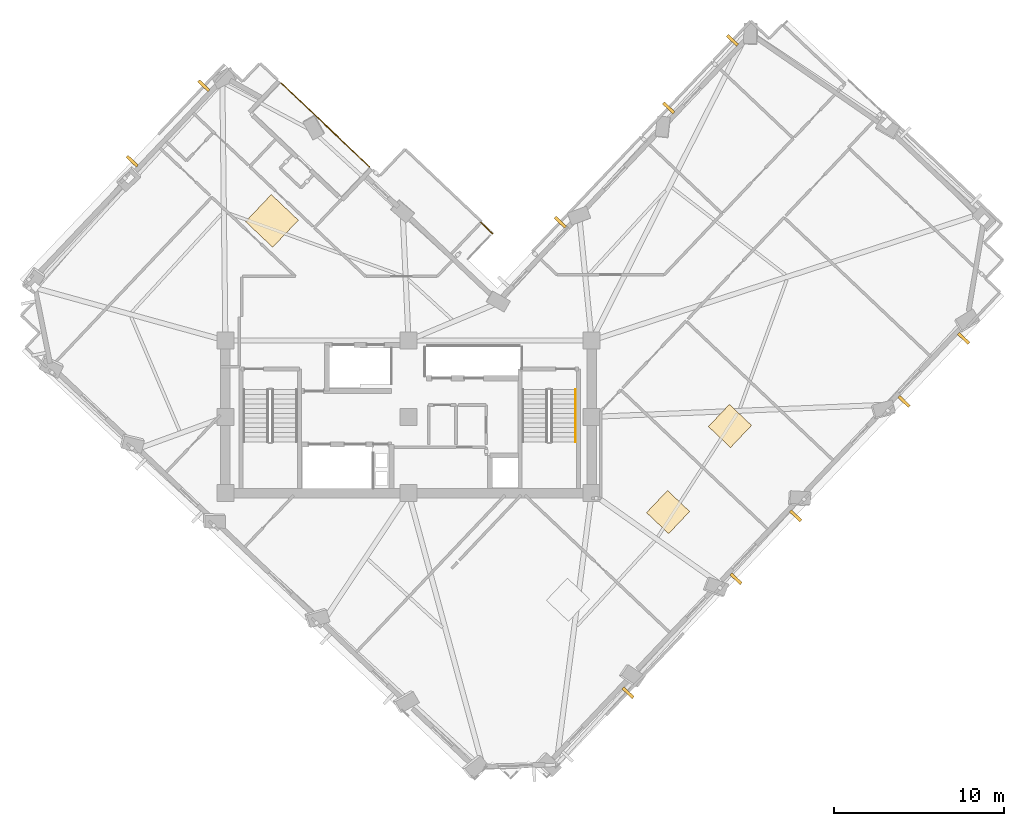
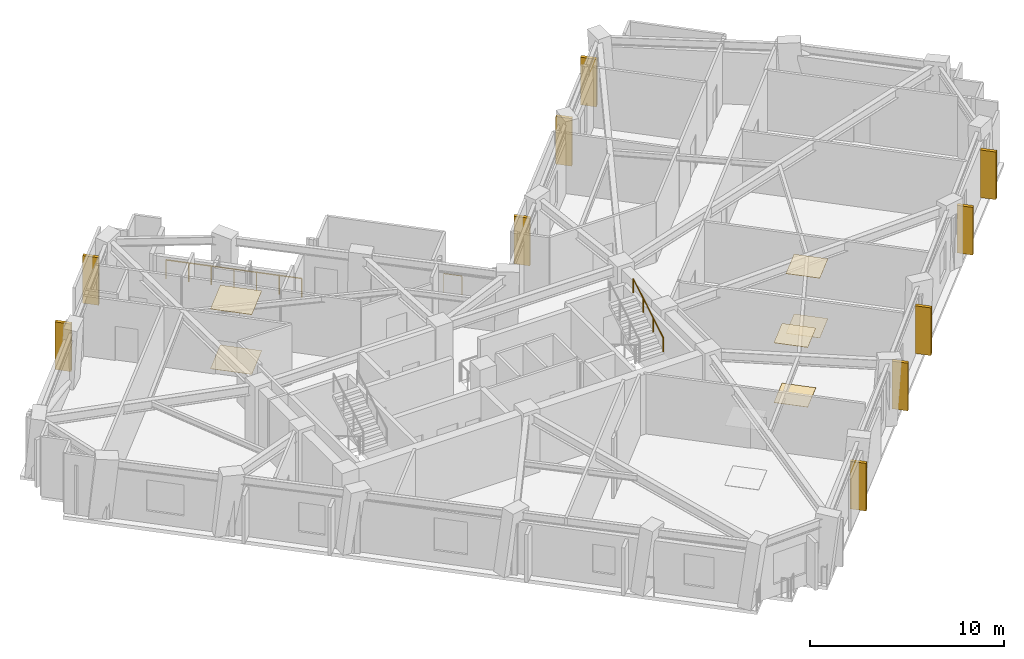
# One storey, part 11 of 12: 10 shading devices, 6 coverings, 3 railings.
"""IFC4 building model written with IfcOpenShell, lengths in metres."""

from ifc_helpers import new_model, si_unit, direction, frame, origin, origin_2d, place, context, subcontext, project, spatial, rectangle, circle, extrude, material, layer, layer_set, type_object, element, save


model = new_model("IFC4")

# Units and contexts
model_context = context("Model", 3, precision=1e-05, world=origin(), true_north=direction((0.0, 1.0)))
body_context = subcontext(model_context, "Body", "Model", "MODEL_VIEW")
ifc_project = project(units=[si_unit("LENGTHUNIT", "METRE"), si_unit("AREAUNIT", "SQUARE_METRE"), si_unit("VOLUMEUNIT", "CUBIC_METRE"), si_unit("PLANEANGLEUNIT", "RADIAN"), si_unit("MASSUNIT", "GRAM", prefix="KILO")], contexts=[model_context])

# Site, building, storey
site_placement = place(None, origin())
site = spatial("IfcSite", under=ifc_project, at=site_placement, CompositionType="ELEMENT")
building_placement = place(site_placement, origin())
building = spatial("IfcBuilding", under=site, at=building_placement, Name="Gaonmaruhae Medical Tower", CompositionType="ELEMENT")
storey_placement = place(building_placement, frame((0.0, 0.0, 223.199951171875)))
storey = spatial("IfcBuildingStorey", under=building, at=storey_placement, Name="L53", CompositionType="ELEMENT", Elevation=223.199951171875)

# Coverings
ifc_material_1 = material(Name="Acoustic mineral ceiling tile", Category="finish")
ifc_layer_1 = layer(ifc_material_1, 0.02490234375)
ifc_layer_set_1 = layer_set([ifc_layer_1], Name="Acoustic mineral ceiling tile")
covering_type_1 = type_object("IfcCoveringType", Name="CLG-01 Antimicrobial Acoustic Mineral Ceiling", PredefinedType="CEILING", material=ifc_layer_set_1)
covering_1_placement = place(storey_placement, frame((16.74609375, 23.857421875, 3.755126953125), z_axis=(0.0, 0.0, 1.0), x_axis=(0.687721305114, 0.725974797422, 0.0)))
element("IfcCovering", 1, at=covering_1_placement, inside=storey, type_object=covering_type_1, Name="L53 Clinical Corridor Acoustic Ceiling", PredefinedType="CEILING", context=body_context, shape_type="SweptSolid", body=[
    extrude(rectangle(XDim=2.199951171875, YDim=2.199951171875, at=origin_2d()), origin(), (0.0, 0.0, 1.0), 0.02490234375),
])
for number, where, z_axis, x_axis, name in (
    (2, (40.108154296875, 6.685791015625, 3.755126953125), (0.0, 0.0, 1.0), (0.687721305114, 0.725974797422, 0.0), "L53 Clinical Room Acoustic Ceiling 3"),
    (3, (43.7568359375, 11.76220703125, 3.755126953125), (0.0, 0.0, 1.0), (0.687721305114, 0.725974797422, 0.0), "L53 Clinical Room Acoustic Ceiling 4"),
):
    element("IfcCovering", number, at=place(storey_placement, frame(where, z_axis=z_axis, x_axis=x_axis)), inside=storey, type_object=covering_type_1, Name=name, PredefinedType="CEILING", context=body_context, shape_type="SweptSolid", body=[
        extrude(rectangle(XDim=1.800048828125, YDim=1.800048828125, at=origin_2d()), origin(), (0.0, 0.0, 1.0), 0.02490234375),
    ])
ifc_material_2 = material(Name="Seamless clinical vinyl flooring", Category="finish")
ifc_layer_2 = layer(ifc_material_2, 0.014892578125)
ifc_layer_set_2 = layer_set([ifc_layer_2], Name="Seamless clinical vinyl flooring")
covering_type_2 = type_object("IfcCoveringType", Name="FLR-01 Seamless Clinical Antistatic Vinyl Flooring", PredefinedType="FLOORING", material=ifc_layer_set_2)
covering_2_placement = place(storey_placement, frame((16.74609375, 23.857421875, 0.00048828125), z_axis=(0.0, 0.0, 1.0), x_axis=(0.687721305114, 0.725974797422, 0.0)))
element("IfcCovering", 4, at=covering_2_placement, inside=storey, type_object=covering_type_2, Name="L53 Clinical Corridor Vinyl Flooring", PredefinedType="FLOORING", context=body_context, shape_type="SweptSolid", body=[
    extrude(rectangle(XDim=2.199951171875, YDim=2.199951171875, at=origin_2d()), origin(), (0.0, 0.0, 1.0), 0.014892578125),
])
for number, where, z_axis, x_axis, name in (
    (5, (40.108154296875, 6.685791015625, 0.0), (0.0, 0.0, 1.0), (0.687721305114, 0.725974797422, 0.0), "L53 Clinical Room Vinyl Flooring 3"),
    (6, (43.7568359375, 11.76220703125, 0.0), (0.0, 0.0, 1.0), (0.687721305114, 0.725974797422, 0.0), "L53 Clinical Room Vinyl Flooring 4"),
):
    element("IfcCovering", number, at=place(storey_placement, frame(where, z_axis=z_axis, x_axis=x_axis)), inside=storey, type_object=covering_type_2, Name=name, PredefinedType="FLOORING", context=body_context, shape_type="SweptSolid", body=[
        extrude(rectangle(XDim=1.800048828125, YDim=1.800048828125, at=origin_2d()), origin(), (0.0, 0.0, 1.0), 0.014892578125),
    ])

# Railings
ifc_material_3 = material(Name="Stainless steel 316L and laminated safety glass", Category="steel")
ifc_layer_3 = layer(ifc_material_3, 0.080078125)
ifc_layer_set_3 = layer_set([ifc_layer_3], Name="Stainless steel 316L and laminated safety glass")
railing_type_1 = type_object("IfcRailingType", Name="GD-120 Outdoor Terrace Safety Glass & Steel Balustrade", PredefinedType="BALUSTRADE", material=ifc_layer_set_3)
railing_1_placement = place(storey_placement, frame((22.50439453125, 27.04638671875, 0.0)))
element("IfcRailing", 7, at=railing_1_placement, inside=storey, type_object=railing_type_1, Name="L53 Terrace Safety Guard RL-SLB-L53-TER-02", PredefinedType="BALUSTRADE", context=body_context, shape_type="SweptSolid", body=[
    extrude(circle(Radius=0.02392578125, at=origin_2d()), frame((0.0, 0.0, 1.17578125), z_axis=(-0.725989215373, 0.687706084866, 0.0), x_axis=(-0.687706084866, -0.725989215373, 0.0)), (0.0, 0.0, 1.0), 7.199951171875),
    extrude(circle(Radius=0.02099609375, at=origin_2d()), origin(), (0.0, 0.0, 1.0), 1.15185546875),
    extrude(circle(Radius=0.02099609375, at=origin_2d()), frame((-0.87109375, 0.8251953125, 0.0)), (0.0, 0.0, 1.0), 1.15185546875),
    extrude(circle(Radius=0.02099609375, at=origin_2d()), frame((-1.742431640625, 1.650390625, 0.0)), (0.0, 0.0, 1.0), 1.15185546875),
    extrude(circle(Radius=0.02099609375, at=origin_2d()), frame((-2.613525390625, 2.4755859375, 0.0)), (0.0, 0.0, 1.0), 1.15185546875),
    extrude(circle(Radius=0.02099609375, at=origin_2d()), frame((-3.484619140625, 3.301025390625, 0.0)), (0.0, 0.0, 1.0), 1.15185546875),
    extrude(circle(Radius=0.02099609375, at=origin_2d()), frame((-4.35595703125, 4.126220703125, 0.0)), (0.0, 0.0, 1.0), 1.15185546875),
    extrude(circle(Radius=0.02099609375, at=origin_2d()), frame((-5.22705078125, 4.951416015625, 0.0)), (0.0, 0.0, 1.0), 1.15185546875),
])
railing_2_placement = place(storey_placement, frame((29.0654296875, 23.7646484375, 0.0)))
element("IfcRailing", 8, at=railing_2_placement, inside=storey, type_object=railing_type_1, Name="L53 Perimeter Slab Edge Safety Balustrade 08", PredefinedType="BALUSTRADE", context=body_context, shape_type="SweptSolid", body=[
    extrude(circle(Radius=0.02392578125, at=origin_2d()), frame((0.0, 0.0, 1.17578125), z_axis=(0.726046232432, -0.687645888791, 0.0), x_axis=(0.687645888791, 0.726046232432, 0.0)), (0.0, 0.0, 1.0), 0.9599609375),
    extrude(circle(Radius=0.02099609375, at=origin_2d()), origin(), (0.0, 0.0, 1.0), 1.15185546875),
    extrude(circle(Radius=0.02099609375, at=origin_2d()), frame((0.697021484375, -0.66015625, 0.0)), (0.0, 0.0, 1.0), 1.15185546875),
])
ifc_material_4 = material(Name="Stainless steel 304 handrail", Category="steel")
railing_type_2 = type_object("IfcRailingType", Name="HR-092 Continuous Stainless Steel Stair Handrail", PredefinedType="HANDRAIL", material=ifc_material_4)
railing_3_placement = place(storey_placement, frame((34.64990234375, 10.820068359375, 2.166748046875)))
element("IfcRailing", 9, at=railing_3_placement, inside=storey, type_object=railing_type_2, Name="L53 ST-02 stair handrail 2", PredefinedType="HANDRAIL", context=body_context, shape_type="SweptSolid", body=[
    extrude(circle(Radius=0.02392578125, at=origin_2d()), frame((0.0, 0.0, 0.8759765625), z_axis=(0.0, 0.859290745958, 0.51148745235), x_axis=(-1.0, 0.0, 0.0)), (0.0, 0.0, 1.0), 3.584228515625),
    extrude(circle(Radius=0.02099609375, at=origin_2d()), origin(), (0.0, 0.0, 1.0), 0.851806640625),
    extrude(circle(Radius=0.02099609375, at=origin_2d()), frame((0.0, 1.026611328125, 0.611083984375)), (0.0, 0.0, 1.0), 0.851806640625),
    extrude(circle(Radius=0.02099609375, at=origin_2d()), frame((0.0, 2.05322265625, 1.22216796875)), (0.0, 0.0, 1.0), 0.851806640625),
    extrude(circle(Radius=0.02099609375, at=origin_2d()), frame((0.0, 3.079833984375, 1.833251953125)), (0.0, 0.0, 1.0), 0.851806640625),
])

# Shading devices
ifc_material_5 = material(Name="Pigmented coral precast concrete C45/55", Category="concrete")
shading_device_type = type_object("IfcShadingDeviceType", Name="SD-FIN1 Tower Vertical Coral Precast Shading Fin", PredefinedType="USERDEFINED", material=ifc_material_5)
for number, where, z_axis, x_axis, name in (
    (10, (37.744873046875, -3.97021484375, 0.132568359375), (0.0, 0.0, 1.0), (-0.687721305114, -0.725974797422, 0.0), "L53 Vertical Coral Precast Shading Fin S01"),
    (11, (47.6298828125, 6.464599609375, 0.132568359375), (0.0, 0.0, 1.0), (-0.687721305114, -0.725974797422, 0.0), "L53 Vertical Coral Precast Shading Fin S03"),
    (12, (44.11328125, 2.75244140625, 0.132568359375), (0.0, 0.0, 1.0), (-0.687721305114, -0.725974797422, 0.0), "L53 Vertical Coral Precast Shading Fin S03B"),
    (13, (57.540283203125, 16.926513671875, 0.132568359375), (0.0, 0.0, 1.0), (-0.687721305114, -0.725974797422, 0.0), "L53 Vertical Coral Precast Shading Fin S05"),
    (14, (54.0205078125, 13.210693359375, 0.132568359375), (0.0, 0.0, 1.0), (-0.687721305114, -0.725974797422, 0.0), "L53 Vertical Coral Precast Shading Fin S05B"),
    (15, (40.135498046875, 30.5283203125, 0.08251953125), (0.0, 0.0, 1.0), (0.687721305114, 0.725974797422, 0.0), "L53 Vertical Coral Precast Shading Fin E03"),
    (16, (43.90380859375, 34.506591796875, 0.08251953125), (0.0, 0.0, 1.0), (0.687721305114, 0.725974797422, 0.0), "L53 Vertical Coral Precast Shading Fin E03B"),
    (17, (33.74658203125, 23.784423828125, 0.132568359375), (0.0, 0.0, 1.0), (0.687721305114, 0.725974797422, 0.0), "L53 Vertical Coral Precast Shading Fin EN02B"),
    (18, (8.50244140625, 27.380615234375, 0.132568359375), (0.0, 0.0, 1.0), (0.687721305114, 0.725974797422, 0.0), "L53 Vertical Coral Precast Shading Fin N01"),
    (19, (12.72119140625, 31.833984375, 0.132568359375), (0.0, 0.0, 1.0), (0.687721305114, 0.725974797422, 0.0), "L53 Vertical Coral Precast Shading Fin N01B"),
):
    element("IfcShadingDevice", number, at=place(storey_placement, frame(where, z_axis=z_axis, x_axis=x_axis)), inside=storey, type_object=shading_device_type, Name=name, ObjectType="FIN", PredefinedType="USERDEFINED", context=body_context, shape_type="SweptSolid", body=[
        extrude(rectangle(XDim=0.179931640625, YDim=0.85009765625, at=origin_2d()), origin(), (0.0, 0.0, 1.0), 3.0),
    ])

save(model, "model.ifc")
